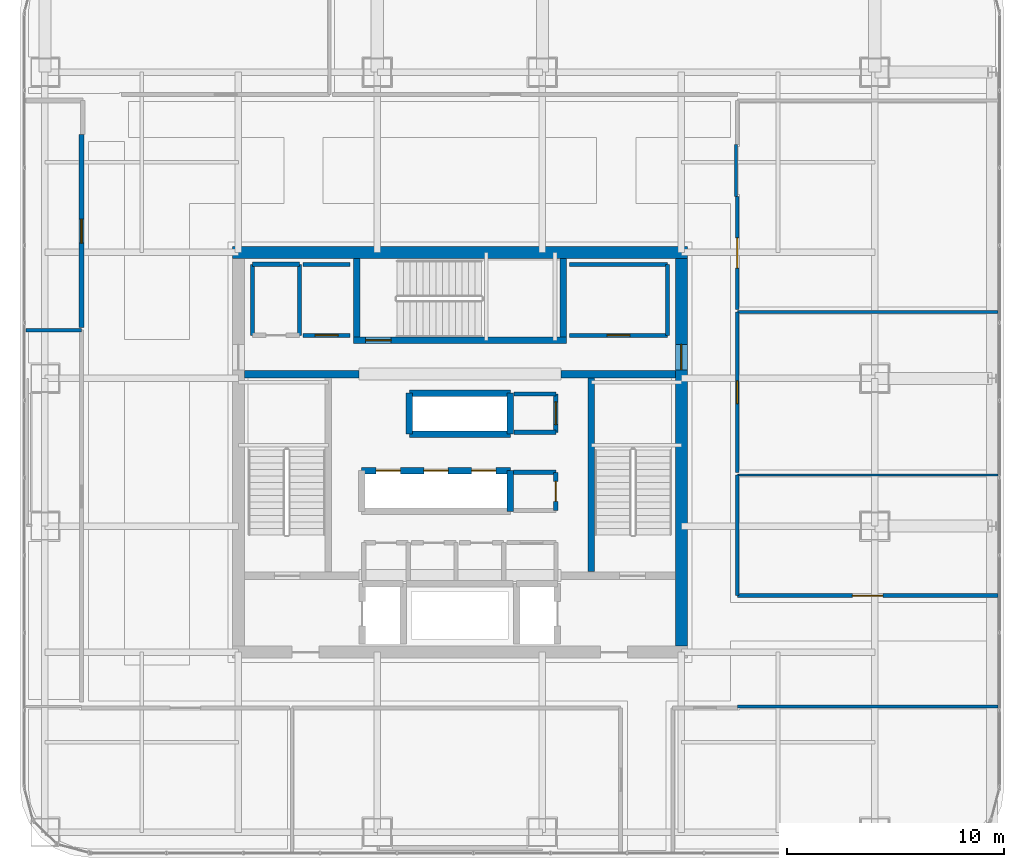
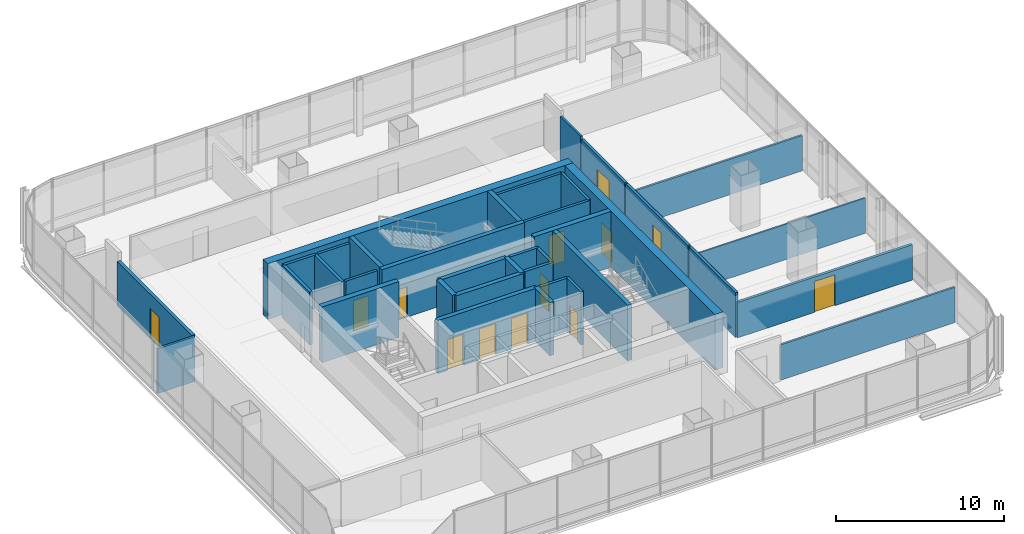
# One storey, part 34 of 42: 37 walls, 13 doors, 13 openings.
"""IFC4 building model written with IfcOpenShell, lengths in metres."""

from ifc_helpers import new_model, si_unit, direction, frame, frame_2d, origin, place, context, subcontext, project, spatial, rectangle, extrude, material, layer, layer_set, type_object, element, fill, save


model = new_model("IFC4")

# Units and contexts
model_context = context("Model", 3, precision=1e-05, world=origin(), true_north=direction((0.0, 1.0)))
body_context = subcontext(model_context, "Body", "Model", "MODEL_VIEW")
ifc_project = project(units=[si_unit("LENGTHUNIT", "METRE"), si_unit("AREAUNIT", "SQUARE_METRE"), si_unit("VOLUMEUNIT", "CUBIC_METRE"), si_unit("PLANEANGLEUNIT", "RADIAN"), si_unit("MASSUNIT", "GRAM", prefix="KILO")], contexts=[model_context])

# Site, building, storey
site_placement = place(None, origin())
site = spatial("IfcSite", under=ifc_project, at=site_placement, CompositionType="ELEMENT")
building_placement = place(site_placement, origin())
building = spatial("IfcBuilding", under=site, at=building_placement, Name="Punatoya Terracotta Tower", CompositionType="ELEMENT")
storey_placement = place(building_placement, frame((0.0, 0.0, 259.5)))
storey = spatial("IfcBuildingStorey", under=building, at=storey_placement, Name="L61", CompositionType="ELEMENT", Elevation=259.5)

# Wall
ifc_material_1 = material(Name="Concrete C50/60", Category="concrete")
ifc_layer_1 = layer(ifc_material_1, 0.550048828125)
ifc_layer_set_1 = layer_set([ifc_layer_1], Name="Concrete C50/60")
wall_type_1 = type_object("IfcWallType", Name="WL-COR-550", PredefinedType="SHEAR", material=ifc_layer_set_1)
wall_1_placement = place(storey_placement, frame((-10.47509765625, 9.199951171875, 0.0), z_axis=(0.0, 0.0, 1.0), x_axis=(1.0, 0.0, 0.0)))
element("IfcWall", 1, at=wall_1_placement, inside=storey, type_object=wall_type_1, Name="L61 Core Shear Wall N", PredefinedType="SHEAR", context=body_context, shape_type="SweptSolid", body=[
    extrude(rectangle(XDim=20.9501953125, YDim=0.550048828125, at=frame_2d((10.47509765625, 0.0))), origin(), (0.0, 0.0, 1.0), 4.050048828125),
])

# Wall, opening, door
wall_2_placement = place(storey_placement, frame((10.199951171875, 8.925048828125, 0.0), z_axis=(0.0, 0.0, 1.0), x_axis=(0.0, -1.0, 0.0)))
wall_2 = element("IfcWall", 2, at=wall_2_placement, inside=storey, type_object=wall_type_1, Name="L61 Core Shear Wall E", PredefinedType="SHEAR", context=body_context, shape_type="SweptSolid", body=[
    extrude(rectangle(XDim=17.85009765625, YDim=0.550048828125, at=frame_2d((8.925048828125, 0.0))), origin(), (0.0, 0.0, 1.0), 4.050048828125),
])
opening_1_placement = place(wall_2_placement, frame((3.955078125, 0.0, 0.0)))
opening_1 = element("IfcOpeningElement", 3, at=opening_1_placement, cuts=wall_2, Name="Opening SD-01", PredefinedType="OPENING", context=body_context, shape_type="SweptSolid", body=[
    extrude(rectangle(XDim=1.179931640625, YDim=2.199951171875, at=frame_2d((0.58984375, 1.10009765625))), frame((0.0, 0.284912109375, 0.0), z_axis=(0.0, -1.0, 0.0), x_axis=(1.0, 0.0, 0.0)), (0.0, 0.0, 1.0), 0.570068359375),
])
ifc_material_2 = material(Name="Galvanised Steel Pressurized Stair Fire Door", Category="steel")
door_type_1 = type_object("IfcDoorType", Name="DR-STR-1180", OperationType="NOTDEFINED", PredefinedType="DOOR", material=ifc_material_2)
door_1_placement = place(opening_1_placement, origin())
door_1 = element("IfcDoor", 4, at=door_1_placement, inside=storey, type_object=door_type_1, Name="L61 Central Lift Lobby East Fire Door", OperationType="SINGLE_SWING_RIGHT", OverallHeight=2.199951171875, OverallWidth=1.179931640625, PredefinedType="DOOR", context=body_context, shape_type="SweptSolid", body=[
    extrude(rectangle(XDim=1.179931640625, YDim=2.199951171875, at=frame_2d((0.58984375, 1.10009765625))), frame((0.0, 0.02490234375, 0.0), z_axis=(0.0, -1.0, 0.0), x_axis=(1.0, 0.0, 0.0)), (0.0, 0.0, 1.0), 0.050048828125),
])
fill(opening_1, door_1)

# Wall
ifc_material_3 = material(Name="Gypsum Fireboard + Steel Stud", Category="steel")
ifc_layer_2 = layer(ifc_material_3, 0.179931640625)
ifc_layer_set_2 = layer_set([ifc_layer_2], Name="Gypsum Fireboard + Steel Stud")
wall_type_2 = type_object("IfcWallType", Name="WL-CORR-180", PredefinedType="PARTITIONING", material=ifc_layer_set_2)
wall_3_placement = place(storey_placement, frame((-5.050048828125, 8.64990234375, 0.0), z_axis=(0.0, 0.0, 1.0), x_axis=(-1.0, 0.0, 0.0)))
element("IfcWall", 5, at=wall_3_placement, inside=storey, type_object=wall_type_2, Name="L61 West Core Print Room Partition 20", PredefinedType="PARTITIONING", context=body_context, shape_type="SweptSolid", body=[
    extrude(rectangle(XDim=2.169921875, YDim=0.179931640625, at=frame_2d((1.0849609375, 0.0))), origin(), (0.0, 0.0, 1.0), 3.85009765625),
])

# Wall, opening, door
wall_4_placement = place(storey_placement, frame((-7.219970703125, 5.3798828125, 0.0), z_axis=(0.0, 0.0, 1.0), x_axis=(1.0, 0.0, 0.0)))
wall_4 = element("IfcWall", 6, at=wall_4_placement, inside=storey, type_object=wall_type_2, Name="L61 West Core Print Room Partition 21", PredefinedType="PARTITIONING", context=body_context, shape_type="SweptSolid", body=[
    extrude(rectangle(XDim=2.169921875, YDim=0.179931640625, at=frame_2d((1.0849609375, 0.0))), origin(), (0.0, 0.0, 1.0), 3.85009765625),
])
opening_2_placement = place(wall_4_placement, frame((0.56005859375, 0.0, 0.0)))
opening_2 = element("IfcOpeningElement", 7, at=opening_2_placement, cuts=wall_4, Name="Opening OD-01", PredefinedType="OPENING", context=body_context, shape_type="SweptSolid", body=[
    extrude(rectangle(XDim=1.050048828125, YDim=2.199951171875, at=frame_2d((0.52490234375, 1.10009765625))), frame((0.0, 0.099853515625, 0.0), z_axis=(0.0, -1.0, 0.0), x_axis=(1.0, 0.0, 0.0)), (0.0, 0.0, 1.0), 0.199951171875),
])
ifc_material_4 = material(Name="Bengal Teak Solid-Core Leaf")
door_type_2 = type_object("IfcDoorType", Name="DR-OFF-1050", OperationType="NOTDEFINED", PredefinedType="DOOR", material=ifc_material_4)
door_2_placement = place(opening_2_placement, origin())
door_2 = element("IfcDoor", 8, at=door_2_placement, inside=storey, type_object=door_type_2, Name="L61 West Print Room Door", OperationType="SINGLE_SWING_RIGHT", OverallHeight=2.199951171875, OverallWidth=1.050048828125, PredefinedType="DOOR", context=body_context, shape_type="SweptSolid", body=[
    extrude(rectangle(XDim=1.050048828125, YDim=2.199951171875, at=frame_2d((0.52490234375, 1.10009765625))), frame((0.0, 0.02490234375, 0.0), z_axis=(0.0, -1.0, 0.0), x_axis=(1.0, 0.0, 0.0)), (0.0, 0.0, 1.0), 0.050048828125),
])
fill(opening_2, door_2)

# Walls
wall_5_placement = place(storey_placement, frame((9.550048828125, 5.3798828125, 0.0), z_axis=(0.0, 0.0, 1.0), x_axis=(0.0, 1.0, 0.0)))
element("IfcWall", 9, at=wall_5_placement, inside=storey, type_object=wall_type_2, Name="L61 East Core Wellness Room Partition 22", PredefinedType="PARTITIONING", context=body_context, shape_type="SweptSolid", body=[
    extrude(rectangle(XDim=3.27001953125, YDim=0.179931640625, at=frame_2d((1.635009765625, 0.0))), origin(), (0.0, 0.0, 1.0), 3.85009765625),
])
wall_6_placement = place(storey_placement, frame((9.550048828125, 8.64990234375, 0.0), z_axis=(0.0, 0.0, 1.0), x_axis=(-1.0, 0.0, 0.0)))
element("IfcWall", 10, at=wall_6_placement, inside=storey, type_object=wall_type_2, Name="L61 East Core Wellness Room Partition 23", PredefinedType="PARTITIONING", context=body_context, shape_type="SweptSolid", body=[
    extrude(rectangle(XDim=4.5, YDim=0.179931640625, at=frame_2d((2.25, 0.0))), origin(), (0.0, 0.0, 1.0), 3.85009765625),
])

# Wall, opening, door
wall_7_placement = place(storey_placement, frame((5.050048828125, 5.3798828125, 0.0), z_axis=(0.0, 0.0, 1.0), x_axis=(1.0, 0.0, 0.0)))
wall_7 = element("IfcWall", 11, at=wall_7_placement, inside=storey, type_object=wall_type_2, Name="L61 East Core Wellness Room Partition 24", PredefinedType="PARTITIONING", context=body_context, shape_type="SweptSolid", body=[
    extrude(rectangle(XDim=4.5, YDim=0.179931640625, at=frame_2d((2.25, 0.0))), origin(), (0.0, 0.0, 1.0), 3.85009765625),
])
opening_3_placement = place(wall_7_placement, frame((1.72509765625, 0.0, 0.0)))
opening_3 = element("IfcOpeningElement", 12, at=opening_3_placement, cuts=wall_7, Name="Opening OD-01", PredefinedType="OPENING", context=body_context, shape_type="SweptSolid", body=[
    extrude(rectangle(XDim=1.050048828125, YDim=2.199951171875, at=frame_2d((0.52490234375, 1.10009765625))), frame((0.0, 0.099853515625, 0.0), z_axis=(0.0, -1.0, 0.0), x_axis=(1.0, 0.0, 0.0)), (0.0, 0.0, 1.0), 0.199951171875),
])
door_3_placement = place(opening_3_placement, origin())
door_3 = element("IfcDoor", 13, at=door_3_placement, inside=storey, type_object=door_type_2, Name="L61 East Wellness Room Door", OperationType="SINGLE_SWING_LEFT", OverallHeight=2.199951171875, OverallWidth=1.050048828125, PredefinedType="DOOR", context=body_context, shape_type="SweptSolid", body=[
    extrude(rectangle(XDim=1.050048828125, YDim=2.199951171875, at=frame_2d((0.52490234375, 1.10009765625))), frame((0.0, 0.02490234375, 0.0), z_axis=(0.0, -1.0, 0.0), x_axis=(1.0, 0.0, 0.0)), (0.0, 0.0, 1.0), 0.050048828125),
])
fill(opening_3, door_3)

wall_8_placement = place(storey_placement, frame((24.77001953125, -6.60009765625, 0.0), z_axis=(0.0, 0.0, 1.0), x_axis=(-1.0, 0.0, 0.0)))
wall_8 = element("IfcWall", 14, at=wall_8_placement, inside=storey, type_object=wall_type_2, Name="L61 Open-Plan Press Briefing Room Partition 33", PredefinedType="PARTITIONING", context=body_context, shape_type="SweptSolid", body=[
    extrude(rectangle(XDim=12.0, YDim=0.179931640625, at=frame_2d((6.0, 0.0))), origin(), (0.0, 0.0, 1.0), 2.56396484375),
])
opening_4_placement = place(wall_8_placement, frame((5.300048828125, 0.0, 0.0)))
opening_4 = element("IfcOpeningElement", 15, at=opening_4_placement, cuts=wall_8, Name="Opening BD-01", PredefinedType="OPENING", context=body_context, shape_type="SweptSolid", body=[
    extrude(rectangle(XDim=1.39990234375, YDim=2.25, at=frame_2d((0.699951171875, 1.125))), frame((0.0, 0.099853515625, 0.0), z_axis=(0.0, -1.0, 0.0), x_axis=(1.0, 0.0, 0.0)), (0.0, 0.0, 1.0), 0.199951171875),
])
ifc_material_5 = material(Name="Bengal Teak Acoustic Leaf")
door_type_3 = type_object("IfcDoorType", Name="DR-BRD-1400", OperationType="NOTDEFINED", PredefinedType="DOOR", material=ifc_material_5)
door_4_placement = place(opening_4_placement, origin())
door_4 = element("IfcDoor", 16, at=door_4_placement, inside=storey, type_object=door_type_3, Name="L61 Open-Plan Press Briefing Room Door", OperationType="SINGLE_SWING_LEFT", OverallHeight=2.25, OverallWidth=1.39990234375, PredefinedType="DOOR", context=body_context, shape_type="SweptSolid", body=[
    extrude(rectangle(XDim=1.39990234375, YDim=2.25, at=frame_2d((0.699951171875, 1.125))), frame((0.0, 0.02490234375, 0.0), z_axis=(0.0, -1.0, 0.0), x_axis=(1.0, 0.0, 0.0)), (0.0, 0.0, 1.0), 0.050048828125),
])
fill(opening_4, door_4)

# Wall
wall_9_placement = place(storey_placement, frame((12.77001953125, -6.60009765625, 0.0), z_axis=(0.0, 0.0, 1.0), x_axis=(0.0, 1.0, 0.0)))
element("IfcWall", 17, at=wall_9_placement, inside=storey, type_object=wall_type_2, Name="L61 Open-Plan Press Briefing Room Partition 34", PredefinedType="PARTITIONING", context=body_context, shape_type="SweptSolid", body=[
    extrude(rectangle(XDim=5.55419921875, YDim=0.179931640625, at=frame_2d((2.777099609375, 0.0))), origin(), (0.0, 0.0, 1.0), 3.243896484375),
])

# Wall, opening, door
wall_10_placement = place(storey_placement, frame((12.77001953125, -0.926025390625, 0.0), z_axis=(0.0, 0.0, 1.0), x_axis=(0.0, 1.0, 0.0)))
wall_10 = element("IfcWall", 18, at=wall_10_placement, inside=storey, type_object=wall_type_2, Name="L61 Open-Plan Acoustic Wellness Room Partition 38", PredefinedType="PARTITIONING", context=body_context, shape_type="SweptSolid", body=[
    extrude(rectangle(XDim=7.385986328125, YDim=0.179931640625, at=frame_2d((3.69287109375, 0.0))), origin(), (0.0, 0.0, 1.0), 3.243896484375),
])
opening_5_placement = place(wall_10_placement, frame((3.16796875, 0.0, 0.0)))
opening_5 = element("IfcOpeningElement", 19, at=opening_5_placement, cuts=wall_10, Name="Opening OD-01", PredefinedType="OPENING", context=body_context, shape_type="SweptSolid", body=[
    extrude(rectangle(XDim=1.050048828125, YDim=2.199951171875, at=frame_2d((0.52490234375, 1.10009765625))), frame((0.0, 0.099853515625, 0.0), z_axis=(0.0, -1.0, 0.0), x_axis=(1.0, 0.0, 0.0)), (0.0, 0.0, 1.0), 0.199951171875),
])
door_5_placement = place(opening_5_placement, origin())
door_5 = element("IfcDoor", 20, at=door_5_placement, inside=storey, type_object=door_type_2, Name="L61 Open-Plan Acoustic Wellness Room Door", OperationType="SINGLE_SWING_LEFT", OverallHeight=2.199951171875, OverallWidth=1.050048828125, PredefinedType="DOOR", context=body_context, shape_type="SweptSolid", body=[
    extrude(rectangle(XDim=1.050048828125, YDim=2.199951171875, at=frame_2d((0.52490234375, 1.10009765625))), frame((0.0, 0.02490234375, 0.0), z_axis=(0.0, -1.0, 0.0), x_axis=(1.0, 0.0, 0.0)), (0.0, 0.0, 1.0), 0.050048828125),
])
fill(opening_5, door_5)

wall_11_placement = place(storey_placement, frame((12.77001953125, 6.580078125, 0.0), z_axis=(0.0, 0.0, 1.0), x_axis=(0.0, 1.0, 0.0)))
wall_11 = element("IfcWall", 21, at=wall_11_placement, inside=storey, type_object=wall_type_2, Name="L61 Editorial Conference Room Partition 43", PredefinedType="PARTITIONING", context=body_context, shape_type="SweptSolid", body=[
    extrude(rectangle(XDim=5.18994140625, YDim=0.179931640625, at=frame_2d((2.594970703125, 0.0))), origin(), (0.0, 0.0, 1.0), 3.243896484375),
])
opening_6_placement = place(wall_11_placement, frame((1.89501953125, 0.0, 0.0)))
opening_6 = element("IfcOpeningElement", 22, at=opening_6_placement, cuts=wall_11, Name="Opening BD-01", PredefinedType="OPENING", context=body_context, shape_type="SweptSolid", body=[
    extrude(rectangle(XDim=1.39990234375, YDim=2.25, at=frame_2d((0.699951171875, 1.125))), frame((0.0, 0.099853515625, 0.0), z_axis=(0.0, -1.0, 0.0), x_axis=(1.0, 0.0, 0.0)), (0.0, 0.0, 1.0), 0.199951171875),
])
door_6_placement = place(opening_6_placement, origin())
door_6 = element("IfcDoor", 23, at=door_6_placement, inside=storey, type_object=door_type_3, Name="L61 Editorial Conference Room Door", OperationType="SINGLE_SWING_LEFT", OverallHeight=2.25, OverallWidth=1.39990234375, PredefinedType="DOOR", context=body_context, shape_type="SweptSolid", body=[
    extrude(rectangle(XDim=1.39990234375, YDim=2.25, at=frame_2d((0.699951171875, 1.125))), frame((0.0, 0.02490234375, 0.0), z_axis=(0.0, -1.0, 0.0), x_axis=(1.0, 0.0, 0.0)), (0.0, 0.0, 1.0), 0.050048828125),
])
fill(opening_6, door_6)

ifc_material_6 = material(Name="Concrete C40/50", Category="concrete")
ifc_layer_3 = layer(ifc_material_6, 0.219970703125)
ifc_layer_set_3 = layer_set([ifc_layer_3], Name="Concrete C40/50")
wall_type_3 = type_object("IfcWallType", Name="WL-FIR-220", PredefinedType="SOLIDWALL", material=ifc_layer_set_3)
wall_12_placement = place(storey_placement, frame((-17.419921875, 14.6201171875, 0.0), z_axis=(0.0, 0.0, 1.0), x_axis=(0.0, -1.0, 0.0)))
wall_12 = element("IfcWall", 24, at=wall_12_placement, inside=storey, type_object=wall_type_3, Name="L61 Model-Making Archive Partition 42", PredefinedType="SOLIDWALL", context=body_context, shape_type="SweptSolid", body=[
    extrude(rectangle(XDim=8.8740234375, YDim=0.219970703125, at=frame_2d((4.43701171875, 0.0))), origin(), (0.0, 0.0, 1.0), 3.243896484375),
])
opening_7_placement = place(wall_12_placement, frame((3.886962890625, 0.0, 0.0)))
opening_7 = element("IfcOpeningElement", 25, at=opening_7_placement, cuts=wall_12, Name="Opening FD-P1", PredefinedType="OPENING", context=body_context, shape_type="SweptSolid", body=[
    extrude(rectangle(XDim=1.10009765625, YDim=2.199951171875, at=frame_2d((0.550048828125, 1.10009765625))), frame((0.0, 0.119873046875, 0.0), z_axis=(0.0, -1.0, 0.0), x_axis=(1.0, 0.0, 0.0)), (0.0, 0.0, 1.0), 0.239990234375),
])
ifc_material_7 = material(Name="Galvanised Steel Plant Fire Door", Category="steel")
door_type_4 = type_object("IfcDoorType", Name="DR-PLT-1100", OperationType="NOTDEFINED", PredefinedType="DOOR", material=ifc_material_7)
door_7_placement = place(opening_7_placement, origin())
door_7 = element("IfcDoor", 26, at=door_7_placement, inside=storey, type_object=door_type_4, Name="L61 Model-Making Archive Fire Door", OperationType="SINGLE_SWING_RIGHT", OverallHeight=2.199951171875, OverallWidth=1.10009765625, PredefinedType="DOOR", context=body_context, shape_type="SweptSolid", body=[
    extrude(rectangle(XDim=1.10009765625, YDim=2.199951171875, at=frame_2d((0.550048828125, 1.10009765625))), frame((0.0, 0.02490234375, 0.0), z_axis=(0.0, -1.0, 0.0), x_axis=(1.0, 0.0, 0.0)), (0.0, 0.0, 1.0), 0.050048828125),
])
fill(opening_7, door_7)

# Wall
ifc_material_8 = material(Name="Aluminium Framed Acoustic Glass Partition", Category="aluminium")
ifc_layer_4 = layer(ifc_material_8, 0.10009765625)
ifc_layer_set_4 = layer_set([ifc_layer_4], Name="Aluminium Framed Acoustic Glass Partition")
wall_type_4 = type_object("IfcWallType", Name="WL-GLZ-100", PredefinedType="PARTITIONING", material=ifc_layer_set_4)
wall_13_placement = place(storey_placement, frame((12.77001953125, -1.0458984375, 0.0), z_axis=(0.0, 0.0, 1.0), x_axis=(1.0, 0.0, 0.0)))
element("IfcWall", 27, at=wall_13_placement, inside=storey, type_object=wall_type_4, Name="L61 Open-Plan Press Briefing Room Partition 35", PredefinedType="PARTITIONING", context=body_context, shape_type="SweptSolid", body=[
    extrude(rectangle(XDim=12.0, YDim=0.10009765625, at=frame_2d((6.0, 0.0))), origin(), (0.0, 0.0, 1.0), 2.56396484375),
])

# Wall, opening, door
ifc_layer_5 = layer(ifc_material_6, 0.199951171875)
ifc_layer_set_5 = layer_set([ifc_layer_5], Name="Concrete C40/50")
wall_type_5 = type_object("IfcWallType", Name="WL-INT-200", PredefinedType="SOLIDWALL", material=ifc_layer_set_5)
wall_14_placement = place(storey_placement, frame((4.419921875, -2.679931640625, 0.0), z_axis=(0.0, 0.0, 1.0), x_axis=(0.0, 1.0, 0.0)))
wall_14 = element("IfcWall", 28, at=wall_14_placement, inside=storey, type_object=wall_type_5, Name="L61 East Core Reprographics Store Partition 10", PredefinedType="SOLIDWALL", context=body_context, shape_type="SweptSolid", body=[
    extrude(rectangle(XDim=1.760009765625, YDim=0.199951171875, at=frame_2d((0.8798828125, 0.0))), origin(), (0.0, 0.0, 1.0), 3.85009765625),
])
opening_8_placement = place(wall_14_placement, frame((0.419921875, 0.0, 0.0)))
opening_8 = element("IfcOpeningElement", 29, at=opening_8_placement, cuts=wall_14, Name="Opening FD-R1", PredefinedType="OPENING", context=body_context, shape_type="SweptSolid", body=[
    extrude(rectangle(XDim=0.919921875, YDim=2.10009765625, at=frame_2d((0.4599609375, 1.050048828125))), frame((0.0, 0.10986328125, 0.0), z_axis=(0.0, -1.0, 0.0), x_axis=(1.0, 0.0, 0.0)), (0.0, 0.0, 1.0), 0.219970703125),
])
ifc_material_9 = material(Name="Galvanised Steel Riser Fire Access Door", Category="steel")
door_type_5 = type_object("IfcDoorType", Name="DR-RSR-920", OperationType="NOTDEFINED", PredefinedType="DOOR", material=ifc_material_9)
door_8_placement = place(opening_8_placement, origin())
door_8 = element("IfcDoor", 30, at=door_8_placement, inside=storey, type_object=door_type_5, Name="L61 East Core Reprographics Store Fire Door", OperationType="SINGLE_SWING_LEFT", OverallHeight=2.10009765625, OverallWidth=0.919921875, PredefinedType="DOOR", context=body_context, shape_type="SweptSolid", body=[
    extrude(rectangle(XDim=0.919921875, YDim=2.10009765625, at=frame_2d((0.4599609375, 1.050048828125))), frame((0.0, 0.02490234375, 0.0), z_axis=(0.0, -1.0, 0.0), x_axis=(1.0, 0.0, 0.0)), (0.0, 0.0, 1.0), 0.050048828125),
])
fill(opening_8, door_8)

# Wall
wall_15_placement = place(storey_placement, frame((4.419921875, -0.919921875, 0.0), z_axis=(0.0, 0.0, 1.0), x_axis=(-1.0, 0.0, 0.0)))
element("IfcWall", 31, at=wall_15_placement, inside=storey, type_object=wall_type_5, Name="L61 East Core Reprographics Store Partition 11", PredefinedType="SOLIDWALL", context=body_context, shape_type="SweptSolid", body=[
    extrude(rectangle(XDim=1.93994140625, YDim=0.199951171875, at=frame_2d((0.969970703125, 0.0))), origin(), (0.0, 0.0, 1.0), 3.85009765625),
])

# Wall, opening, door
wall_16_placement = place(storey_placement, frame((4.419921875, 0.919921875, 0.0), z_axis=(0.0, 0.0, 1.0), x_axis=(0.0, 1.0, 0.0)))
wall_16 = element("IfcWall", 32, at=wall_16_placement, inside=storey, type_object=wall_type_5, Name="L61 Executive Steward Pantry Partition 13", PredefinedType="SOLIDWALL", context=body_context, shape_type="SweptSolid", body=[
    extrude(rectangle(XDim=1.760009765625, YDim=0.199951171875, at=frame_2d((0.8798828125, 0.0))), origin(), (0.0, 0.0, 1.0), 3.85009765625),
])
opening_9_placement = place(wall_16_placement, frame((0.35498046875, 0.0, 0.0)))
opening_9 = element("IfcOpeningElement", 33, at=opening_9_placement, cuts=wall_16, Name="Opening OD-01", PredefinedType="OPENING", context=body_context, shape_type="SweptSolid", body=[
    extrude(rectangle(XDim=1.050048828125, YDim=2.199951171875, at=frame_2d((0.52490234375, 1.10009765625))), frame((0.0, 0.10986328125, 0.0), z_axis=(0.0, -1.0, 0.0), x_axis=(1.0, 0.0, 0.0)), (0.0, 0.0, 1.0), 0.219970703125),
])
door_9_placement = place(opening_9_placement, origin())
door_9 = element("IfcDoor", 34, at=door_9_placement, inside=storey, type_object=door_type_2, Name="L61 Executive Steward Pantry Door", OperationType="SINGLE_SWING_RIGHT", OverallHeight=2.199951171875, OverallWidth=1.050048828125, PredefinedType="DOOR", context=body_context, shape_type="SweptSolid", body=[
    extrude(rectangle(XDim=1.050048828125, YDim=2.199951171875, at=frame_2d((0.52490234375, 1.10009765625))), frame((0.0, 0.02490234375, 0.0), z_axis=(0.0, -1.0, 0.0), x_axis=(1.0, 0.0, 0.0)), (0.0, 0.0, 1.0), 0.050048828125),
])
fill(opening_9, door_9)

# Walls
for number, where, z_axis, x_axis, name in (
    (35, (4.419921875, 2.679931640625, 0.0), (0.0, 0.0, 1.0), (-1.0, 0.0, 0.0), "L61 Executive Steward Pantry Partition 14"),
    (36, (2.5, 0.919921875, 0.0), (0.0, 0.0, 1.0), (1.0, 0.0, 0.0), "L61 Executive Steward Pantry Partition 15"),
):
    element("IfcWall", number, at=place(storey_placement, frame(where, z_axis=z_axis, x_axis=x_axis)), inside=storey, type_object=wall_type_5, Name=name, PredefinedType="SOLIDWALL", context=body_context, shape_type="SweptSolid", body=[
        extrude(rectangle(XDim=1.919921875, YDim=0.199951171875, at=frame_2d((0.9599609375, 0.0))), origin(), (0.0, 0.0, 1.0), 3.85009765625),
    ])
wall_17_placement = place(storey_placement, frame((-7.3798828125, 5.3798828125, 0.0), z_axis=(0.0, 0.0, 1.0), x_axis=(0.0, 1.0, 0.0)))
element("IfcWall", 37, at=wall_17_placement, inside=storey, type_object=wall_type_5, Name="L61 West Core Archive Vault Partition 16", PredefinedType="SOLIDWALL", context=body_context, shape_type="SweptSolid", body=[
    extrude(rectangle(XDim=3.27001953125, YDim=0.199951171875, at=frame_2d((1.635009765625, 0.0))), origin(), (0.0, 0.0, 1.0), 3.85009765625),
])
wall_18_placement = place(storey_placement, frame((-7.3798828125, 8.64990234375, 0.0), z_axis=(0.0, 0.0, 1.0), x_axis=(-1.0, 0.0, 0.0)))
element("IfcWall", 38, at=wall_18_placement, inside=storey, type_object=wall_type_5, Name="L61 West Core Archive Vault Partition 17", PredefinedType="SOLIDWALL", context=body_context, shape_type="SweptSolid", body=[
    extrude(rectangle(XDim=2.170166015625, YDim=0.199951171875, at=frame_2d((1.0849609375, 0.0))), origin(), (0.0, 0.0, 1.0), 3.85009765625),
])
wall_19_placement = place(storey_placement, frame((-9.550048828125, 8.64990234375, 0.0), z_axis=(0.0, 0.0, 1.0), x_axis=(0.0, -1.0, 0.0)))
element("IfcWall", 39, at=wall_19_placement, inside=storey, type_object=wall_type_5, Name="L61 West Core Archive Vault Partition 18", PredefinedType="SOLIDWALL", context=body_context, shape_type="SweptSolid", body=[
    extrude(rectangle(XDim=3.27001953125, YDim=0.199951171875, at=frame_2d((1.635009765625, 0.0))), origin(), (0.0, 0.0, 1.0), 3.85009765625),
])
ifc_material_10 = material(Name="Acoustic Gypsum + Steel Stud", Category="steel")
ifc_layer_6 = layer(ifc_material_10, 0.139892578125)
ifc_layer_set_6 = layer_set([ifc_layer_6], Name="Acoustic Gypsum + Steel Stud")
wall_type_6 = type_object("IfcWallType", Name="WL-OFF-140", PredefinedType="PARTITIONING", material=ifc_layer_set_6)
for number, where, z_axis, x_axis, name in (
    (40, (12.77001953125, -11.7099609375, 0.0), (0.0, 0.0, 1.0), (1.0, 0.0, 0.0), "L61 Open-Plan Graphic Design Workplace Partition 31"),
    (41, (12.77001953125, 6.4599609375, 0.0), (0.0, 0.0, 1.0), (1.0, 0.0, 0.0), "L61 Open-Plan Acoustic Wellness Room Partition 39"),
):
    element("IfcWall", number, at=place(storey_placement, frame(where, z_axis=z_axis, x_axis=x_axis)), inside=storey, type_object=wall_type_6, Name=name, PredefinedType="PARTITIONING", context=body_context, shape_type="SweptSolid", body=[
        extrude(rectangle(XDim=12.0, YDim=0.139892578125, at=frame_2d((6.0, 0.0))), origin(), (0.0, 0.0, 1.0), 2.56396484375),
    ])
wall_20_placement = place(storey_placement, frame((12.7099609375, 11.77001953125, 0.0), z_axis=(0.0, 0.0, 1.0), x_axis=(0.0, 1.0, 0.0)))
element("IfcWall", 42, at=wall_20_placement, inside=storey, type_object=wall_type_6, Name="L61 Editorial Conference Room Partition 44", PredefinedType="PARTITIONING", context=body_context, shape_type="SweptSolid", body=[
    extrude(rectangle(XDim=2.409912109375, YDim=0.139892578125, at=frame_2d((1.205078125, 0.0))), origin(), (0.0, 0.0, 1.0), 3.48388671875),
])
ifc_layer_7 = layer(ifc_material_6, 0.300048828125)
ifc_layer_set_7 = layer_set([ifc_layer_7], Name="Concrete C40/50")
wall_type_7 = type_object("IfcWallType", Name="WL-SHF-300", PredefinedType="SOLIDWALL", material=ifc_layer_set_7)
wall_21_placement = place(storey_placement, frame((6.050048828125, 3.449951171875, 0.0), z_axis=(0.0, 0.0, 1.0), x_axis=(0.0, -1.0, 0.0)))
element("IfcWall", 43, at=wall_21_placement, inside=storey, type_object=wall_type_7, Name="L61 Structural Stair Shaft Wall SW-ST2-W", PredefinedType="SOLIDWALL", context=body_context, shape_type="SweptSolid", body=[
    extrude(rectangle(XDim=8.949951171875, YDim=0.300048828125, at=frame_2d((4.47509765625, 0.0))), origin(), (0.0, 0.0, 1.0), 4.050048828125),
])
for number, where, z_axis, x_axis, name in (
    (44, (-4.75, 5.300048828125, 0.0), (0.0, 0.0, 1.0), (0.0, 1.0, 0.0), "L61 Structural Stair Shaft Wall SW-ST3-W"),
    (45, (4.75, 8.925048828125, 0.0), (0.0, 0.0, 1.0), (0.0, -1.0, 0.0), "L61 Structural Stair Shaft Wall SW-ST3-E"),
):
    element("IfcWall", number, at=place(storey_placement, frame(where, z_axis=z_axis, x_axis=x_axis)), inside=storey, type_object=wall_type_7, Name=name, PredefinedType="SOLIDWALL", context=body_context, shape_type="SweptSolid", body=[
        extrude(rectangle(XDim=3.625, YDim=0.300048828125, at=frame_2d((1.8125, 0.0))), origin(), (0.0, 0.0, 1.0), 4.050048828125),
    ])

# Wall, opening, door
wall_22_placement = place(storey_placement, frame((-4.89990234375, 5.14990234375, 0.0), z_axis=(0.0, 0.0, 1.0), x_axis=(1.0, 0.0, 0.0)))
wall_22 = element("IfcWall", 46, at=wall_22_placement, inside=storey, type_object=wall_type_7, Name="L61 Structural Stair Shaft Wall SW-ST3-S", PredefinedType="SOLIDWALL", context=body_context, shape_type="SweptSolid", body=[
    extrude(rectangle(XDim=9.7998046875, YDim=0.300048828125, at=frame_2d((4.89990234375, 0.0))), origin(), (0.0, 0.0, 1.0), 4.050048828125),
])
opening_10_placement = place(wall_22_placement, frame((0.56005859375, 0.0, 0.0)))
opening_10 = element("IfcOpeningElement", 47, at=opening_10_placement, cuts=wall_22, Name="Opening SD-01", PredefinedType="OPENING", context=body_context, shape_type="SweptSolid", body=[
    extrude(rectangle(XDim=1.179931640625, YDim=2.199951171875, at=frame_2d((0.58984375, 1.10009765625))), frame((0.0, 0.159912109375, 0.0), z_axis=(0.0, -1.0, 0.0), x_axis=(1.0, 0.0, 0.0)), (0.0, 0.0, 1.0), 0.320068359375),
])
door_10_placement = place(opening_10_placement, origin())
door_10 = element("IfcDoor", 48, at=door_10_placement, inside=storey, type_object=door_type_1, Name="L61 Stair ST-3 Core Lobby Fire Door", OperationType="SINGLE_SWING_LEFT", OverallHeight=2.199951171875, OverallWidth=1.179931640625, PredefinedType="DOOR", context=body_context, shape_type="SweptSolid", body=[
    extrude(rectangle(XDim=1.179931640625, YDim=2.199951171875, at=frame_2d((0.58984375, 1.10009765625))), frame((0.0, 0.02490234375, 0.0), z_axis=(0.0, -1.0, 0.0), x_axis=(1.0, 0.0, 0.0)), (0.0, 0.0, 1.0), 0.050048828125),
])
fill(opening_10, door_10)

# Wall, openings, doors
wall_23_placement = place(storey_placement, frame((-4.52001953125, -0.840087890625, 0.0), z_axis=(0.0, 0.0, 1.0), x_axis=(1.0, 0.0, 0.0)))
wall_23 = element("IfcWall", 49, at=wall_23_placement, inside=storey, type_object=wall_type_7, Name="L61 South Lift Bank Front Shaft Wall", PredefinedType="SOLIDWALL", context=body_context, shape_type="SweptSolid", body=[
    extrude(rectangle(XDim=6.840087890625, YDim=0.300048828125, at=frame_2d((3.419921875, 0.0))), origin(), (0.0, 0.0, 1.0), 3.85009765625),
])
opening_11_placement = place(wall_23_placement, frame((0.659912109375, 0.0, 0.0)))
opening_11 = element("IfcOpeningElement", 50, at=opening_11_placement, cuts=wall_23, Name="Opening LD-02", PredefinedType="OPENING", context=body_context, shape_type="SweptSolid", body=[
    extrude(rectangle(XDim=1.1201171875, YDim=2.25, at=frame_2d((0.56005859375, 1.125))), frame((0.0, 0.159912109375, 0.0), z_axis=(0.0, -1.0, 0.0), x_axis=(1.0, 0.0, 0.0)), (0.0, 0.0, 1.0), 0.320068359375),
])
opening_12_placement = place(wall_23_placement, frame((2.860107421875, 0.0, 0.0)))
opening_12 = element("IfcOpeningElement", 51, at=opening_12_placement, cuts=wall_23, Name="Opening LD-02", PredefinedType="OPENING", context=body_context, shape_type="SweptSolid", body=[
    extrude(rectangle(XDim=1.1201171875, YDim=2.25, at=frame_2d((0.56005859375, 1.125))), frame((0.0, 0.159912109375, 0.0), z_axis=(0.0, -1.0, 0.0), x_axis=(1.0, 0.0, 0.0)), (0.0, 0.0, 1.0), 0.320068359375),
])
opening_13_placement = place(wall_23_placement, frame((5.06005859375, 0.0, 0.0)))
opening_13 = element("IfcOpeningElement", 52, at=opening_13_placement, cuts=wall_23, Name="Opening LD-02", PredefinedType="OPENING", context=body_context, shape_type="SweptSolid", body=[
    extrude(rectangle(XDim=1.1201171875, YDim=2.25, at=frame_2d((0.56005859375, 1.125))), frame((0.0, 0.159912109375, 0.0), z_axis=(0.0, -1.0, 0.0), x_axis=(1.0, 0.0, 0.0)), (0.0, 0.0, 1.0), 0.320068359375),
])
ifc_material_11 = material(Name="Stainless Steel Lift Landing Door", Category="steel")
door_type_6 = type_object("IfcDoorType", Name="DR-LND-1120", OperationType="NOTDEFINED", PredefinedType="DOOR", material=ifc_material_11)
door_11_placement = place(opening_11_placement, origin())
door_11 = element("IfcDoor", 53, at=door_11_placement, inside=storey, type_object=door_type_6, Name="L61 Lift PL-H1 Sliding Landing Door", OperationType="DOUBLE_DOOR_SLIDING", OverallHeight=2.25, OverallWidth=1.1201171875, PredefinedType="DOOR", context=body_context, shape_type="SweptSolid", body=[
    extrude(rectangle(XDim=1.1201171875, YDim=2.25, at=frame_2d((0.56005859375, 1.125))), frame((0.0, 0.02490234375, 0.0), z_axis=(0.0, -1.0, 0.0), x_axis=(1.0, 0.0, 0.0)), (0.0, 0.0, 1.0), 0.050048828125),
])
fill(opening_11, door_11)
door_12_placement = place(opening_12_placement, origin())
door_12 = element("IfcDoor", 54, at=door_12_placement, inside=storey, type_object=door_type_6, Name="L61 Lift PL-H2 Sliding Landing Door", OperationType="DOUBLE_DOOR_SLIDING", OverallHeight=2.25, OverallWidth=1.1201171875, PredefinedType="DOOR", context=body_context, shape_type="SweptSolid", body=[
    extrude(rectangle(XDim=1.1201171875, YDim=2.25, at=frame_2d((0.56005859375, 1.125))), frame((0.0, 0.02490234375, 0.0), z_axis=(0.0, -1.0, 0.0), x_axis=(1.0, 0.0, 0.0)), (0.0, 0.0, 1.0), 0.050048828125),
])
fill(opening_12, door_12)
door_13_placement = place(opening_13_placement, origin())
door_13 = element("IfcDoor", 55, at=door_13_placement, inside=storey, type_object=door_type_6, Name="L61 Lift PL-H3 Sliding Landing Door", OperationType="DOUBLE_DOOR_SLIDING", OverallHeight=2.25, OverallWidth=1.1201171875, PredefinedType="DOOR", context=body_context, shape_type="SweptSolid", body=[
    extrude(rectangle(XDim=1.1201171875, YDim=2.25, at=frame_2d((0.56005859375, 1.125))), frame((0.0, 0.02490234375, 0.0), z_axis=(0.0, -1.0, 0.0), x_axis=(1.0, 0.0, 0.0)), (0.0, 0.0, 1.0), 0.050048828125),
])
fill(opening_13, door_13)

# Walls
wall_24_placement = place(storey_placement, frame((2.320068359375, -2.719970703125, 0.0), z_axis=(0.0, 0.0, 1.0), x_axis=(0.0, 1.0, 0.0)))
element("IfcWall", 56, at=wall_24_placement, inside=storey, type_object=wall_type_7, Name="L61 South Lift Bank East End Wall", PredefinedType="SOLIDWALL", context=body_context, shape_type="SweptSolid", body=[
    extrude(rectangle(XDim=1.8798828125, YDim=0.300048828125, at=frame_2d((0.93994140625, 0.0))), origin(), (0.0, 0.0, 1.0), 3.85009765625),
])
for number, where, z_axis, x_axis, name in (
    (57, (-2.320068359375, 0.840087890625, 0.0), (0.0, 0.0, 1.0), (1.0, 0.0, 0.0), "L61 North Lift Bank Front Shaft Wall"),
    (58, (-2.320068359375, 2.719970703125, 0.0), (0.0, 0.0, 1.0), (1.0, 0.0, 0.0), "L61 North Lift Bank Rear Shaft Wall"),
):
    element("IfcWall", number, at=place(storey_placement, frame(where, z_axis=z_axis, x_axis=x_axis)), inside=storey, type_object=wall_type_7, Name=name, PredefinedType="SOLIDWALL", context=body_context, shape_type="SweptSolid", body=[
        extrude(rectangle(XDim=4.64013671875, YDim=0.300048828125, at=frame_2d((2.320068359375, 0.0))), origin(), (0.0, 0.0, 1.0), 3.85009765625),
    ])
for number, where, z_axis, x_axis, name in (
    (59, (-2.320068359375, 0.840087890625, 0.0), (0.0, 0.0, 1.0), (0.0, 1.0, 0.0), "L61 North Lift Bank West End Wall"),
    (60, (2.320068359375, 0.840087890625, 0.0), (0.0, 0.0, 1.0), (0.0, 1.0, 0.0), "L61 North Lift Bank East End Wall"),
):
    element("IfcWall", number, at=place(storey_placement, frame(where, z_axis=z_axis, x_axis=x_axis)), inside=storey, type_object=wall_type_7, Name=name, PredefinedType="SOLIDWALL", context=body_context, shape_type="SweptSolid", body=[
        extrude(rectangle(XDim=1.8798828125, YDim=0.300048828125, at=frame_2d((0.93994140625, 0.0))), origin(), (0.0, 0.0, 1.0), 3.85009765625),
    ])
ifc_layer_8 = layer(ifc_material_1, 0.35009765625)
ifc_layer_set_8 = layer_set([ifc_layer_8], Name="Concrete C50/60")
wall_type_8 = type_object("IfcWallType", Name="WL-SHF-350", PredefinedType="SOLIDWALL", material=ifc_layer_set_8)
for number, where, z_axis, x_axis, name in (
    (61, (-9.925048828125, 3.60009765625, 0.0), (0.0, 0.0, 1.0), (1.0, 0.0, 0.0), "L61 Core Web Wall CNW-L"),
    (62, (4.64990234375, 3.60009765625, 0.0), (0.0, 0.0, 1.0), (1.0, 0.0, 0.0), "L61 Core Web Wall CNW-R"),
):
    element("IfcWall", number, at=place(storey_placement, frame(where, z_axis=z_axis, x_axis=x_axis)), inside=storey, type_object=wall_type_8, Name=name, PredefinedType="SOLIDWALL", context=body_context, shape_type="SweptSolid", body=[
        extrude(rectangle(XDim=5.275146484375, YDim=0.35009765625, at=frame_2d((2.6376953125, 0.0))), origin(), (0.0, 0.0, 1.0), 4.050048828125),
    ])
ifc_material_12 = material(Name="Masonry Blockwork + Ceramic Tile", Category="masonry")
ifc_layer_9 = layer(ifc_material_12, 0.159912109375)
ifc_layer_set_9 = layer_set([ifc_layer_9], Name="Masonry Blockwork + Ceramic Tile")
wall_type_9 = type_object("IfcWallType", Name="WL-WET-160", PredefinedType="PARTITIONING", material=ifc_layer_set_9)
wall_25_placement = place(storey_placement, frame((-19.969970703125, 5.6259765625, 0.0), z_axis=(0.0, 0.0, 1.0), x_axis=(1.0, 0.0, 0.0)))
element("IfcWall", 63, at=wall_25_placement, inside=storey, type_object=wall_type_9, Name="L61 Open-Plan Hospitality Tea Pantry Partition 36", PredefinedType="PARTITIONING", context=body_context, shape_type="SweptSolid", body=[
    extrude(rectangle(XDim=2.550048828125, YDim=0.159912109375, at=frame_2d((1.27490234375, 0.0))), origin(), (0.0, 0.0, 1.0), 3.243896484375),
])

save(model, "model.ifc")
